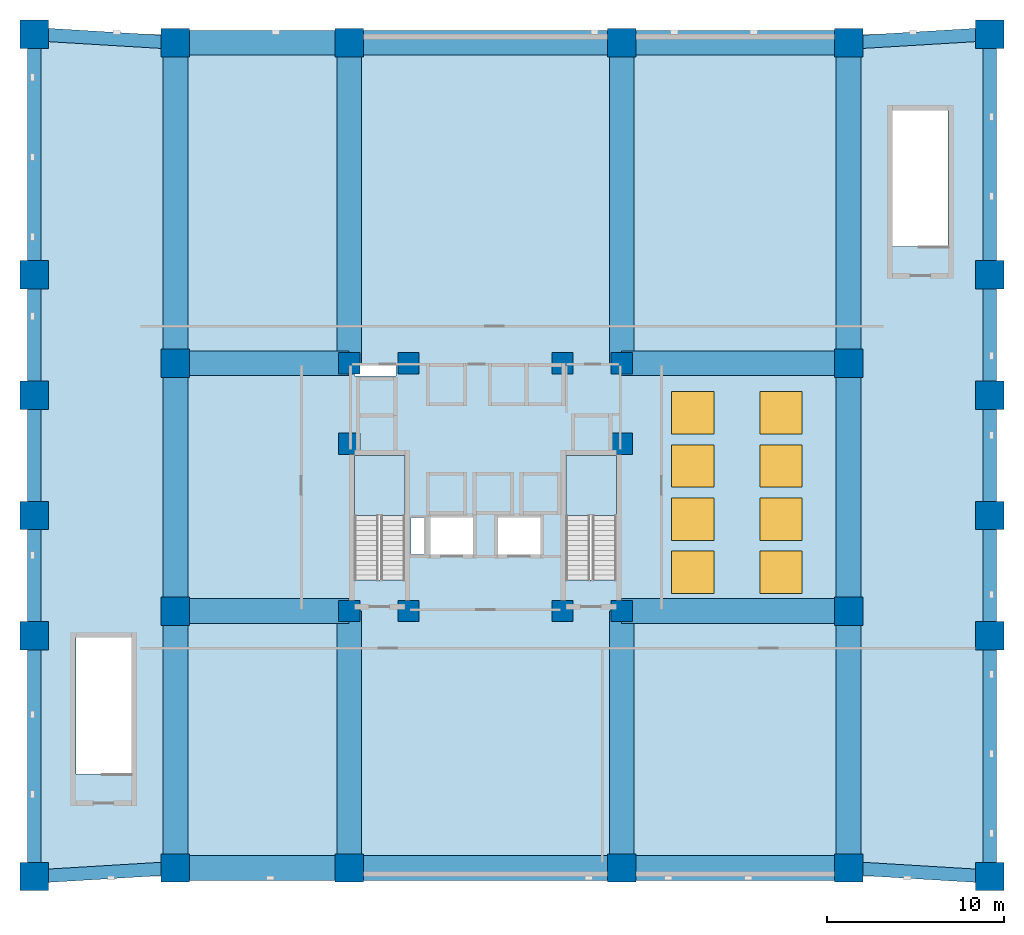
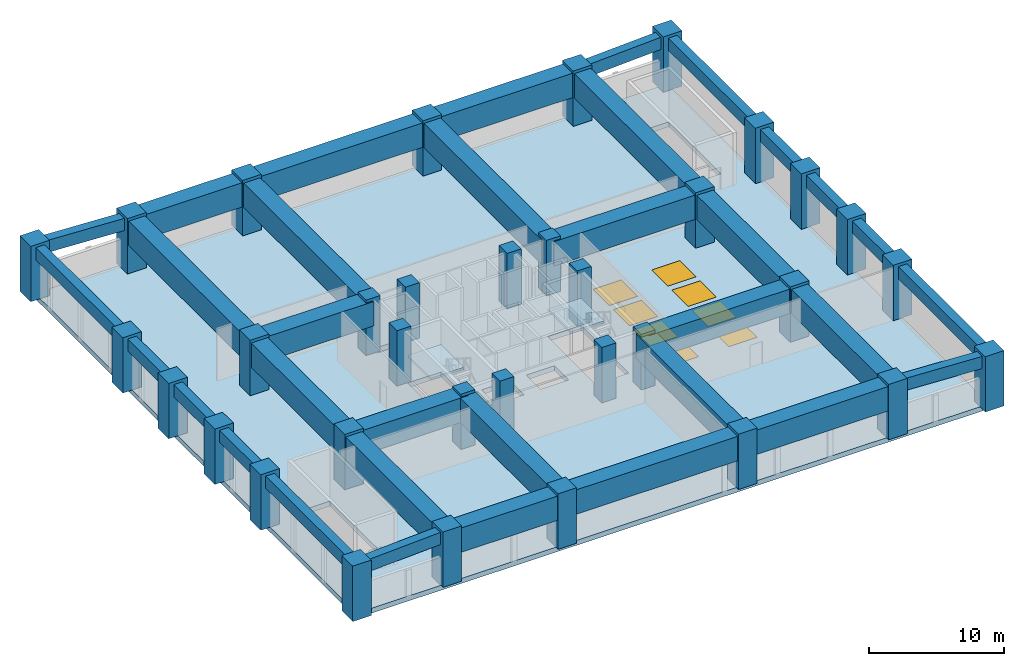
# One storey, part 1 of 6: 34 beams, 34 columns, 8 windows, 3 slabs, 8 openings, 2 elements without a shape of their own.
"""IFC4 building model written with IfcOpenShell, lengths in metres."""

import ifcopenshell
import ifcopenshell.guid

model = None  # the IFC model being written
_history = None  # IfcOwnerHistory: only IFC2X3 demands one
_inside = {}  # id of a spatial element -> (the spatial element, [elements in it])
_under = {}  # id of a project, library or spatial element -> (it, [spatial elements below it])
_declared = {}  # id of a project -> (the project, [libraries it declares])
_typed = {}  # id of a type object -> (the type object, [elements of that type])
_made_of = {}  # id of a material, layer set ... -> (it, [elements and type objects made of it])


def new_model(schema):
    """Start an empty IFC model of exactly this schema.

    Asked for "IFC4X3", IfcOpenShell would pick the latest addendum, in which some entities
    have other attributes; the version numbers below select the first issue.
    IFC2X3 requires an IfcOwnerHistory on every rooted entity: one is made here for all.
    """
    global model, _history
    if schema == "IFC4X3":
        model = ifcopenshell.file(schema_version=(4, 3, 0, 0))
    else:
        model = ifcopenshell.file(schema=schema)
    _inside.clear()
    _under.clear()
    _declared.clear()
    _typed.clear()
    _made_of.clear()
    _history = None
    if model.schema == "IFC2X3":
        org = make("IfcOrganization", Name="unknown")
        user = make(
            "IfcPersonAndOrganization",
            ThePerson=make("IfcPerson", FamilyName="unknown"),
            TheOrganization=org,
        )
        app = make(
            "IfcApplication",
            ApplicationDeveloper=org,
            Version="unknown",
            ApplicationFullName="unknown",
            ApplicationIdentifier="unknown",
        )
        _history = make(
            "IfcOwnerHistory",
            OwningUser=user,
            OwningApplication=app,
            ChangeAction="ADDED",
            CreationDate=0,
        )
    return model


def make(cls, **values):
    """One entity of the class cls with the attributes given. An attribute that is None is left unset."""
    return model.create_entity(
        cls, **{name: value for name, value in values.items() if value is not None}
    )


def rooted(cls, **values):
    """An entity with a GlobalId (a new one), such as an element, a storey or a relation."""
    return make(cls, GlobalId=ifcopenshell.guid.new(), OwnerHistory=_history, **values)


def si_unit(unit_type, name, prefix=None):
    """IfcSIUnit, for example si_unit("LENGTHUNIT", "METRE", prefix="MILLI")."""
    return make("IfcSIUnit", UnitType=unit_type, Prefix=prefix, Name=name)


def derived_unit(unit_type, elements):
    """IfcDerivedUnit: a product of units, each with its exponent."""
    return make(
        "IfcDerivedUnit",
        Elements=[
            make("IfcDerivedUnitElement", Unit=unit, Exponent=power)
            for unit, power in elements
        ],
        UnitType=unit_type,
    )


def assignment(units):
    """IfcUnitAssignment: the units of a project."""
    return None if units is None else make("IfcUnitAssignment", Units=units)


def point(xyz):
    """IfcCartesianPoint."""
    return None if xyz is None else make("IfcCartesianPoint", Coordinates=xyz)


def direction(xyz):
    """IfcDirection."""
    return None if xyz is None else make("IfcDirection", DirectionRatios=xyz)


def frame(location, z_axis=None, x_axis=None):
    """IfcAxis2Placement3D, a coordinate frame: its origin and axes. An axis left out is left unset."""
    return make(
        "IfcAxis2Placement3D",
        Location=point(location),
        Axis=direction(z_axis),
        RefDirection=direction(x_axis),
    )


def frame_2d(location, x_axis=None):
    """IfcAxis2Placement2D, a coordinate frame in the plane: its origin and x axis."""
    return make(
        "IfcAxis2Placement2D", Location=point(location), RefDirection=direction(x_axis)
    )


def origin():
    """The frame at (0, 0, 0) with its axes left unset."""
    return frame((0.0, 0.0, 0.0))


def origin_2d():
    """The frame at (0, 0) in the plane with its x axis left unset."""
    return frame_2d((0.0, 0.0))


def place(relative_to, where):
    """IfcLocalPlacement: puts the frame where relative to a parent placement (None: the world)."""
    return make(
        "IfcLocalPlacement", PlacementRelTo=relative_to, RelativePlacement=where
    )


def context(
    kind, dimensions, precision=None, world=None, true_north=None, identifier=None
):
    """IfcGeometricRepresentationContext, for example the 3D "Model" context."""
    return make(
        "IfcGeometricRepresentationContext",
        ContextIdentifier=identifier,
        ContextType=kind,
        CoordinateSpaceDimension=dimensions,
        Precision=precision,
        WorldCoordinateSystem=world,
        TrueNorth=true_north,
    )


def subcontext(parent, identifier, kind, view, scale=None):
    """IfcGeometricRepresentationSubContext, for example "Body" below "Model"."""
    return make(
        "IfcGeometricRepresentationSubContext",
        ContextIdentifier=identifier,
        ContextType=kind,
        ParentContext=parent,
        TargetScale=scale,
        TargetView=view,
    )


def project(units=None, contexts=None):
    """IfcProject with its units and contexts."""
    return rooted(
        "IfcProject",
        Name="project",
        RepresentationContexts=contexts,
        UnitsInContext=assignment(units),
    )


def spatial(cls, under=None, at=None, **own):
    """A site, building, storey or space (cls), placed at a placement, below another one or the project."""
    s = rooted(cls, ObjectPlacement=at, **own)
    if under is not None:
        _under.setdefault(under.id(), (under, []))[1].append(s)
    return s


def polyline(points):
    """IfcPolyline through the points."""
    return make("IfcPolyline", Points=[point(p) for p in points])


def profile(cls, at=None, kind="AREA", **sizes):
    """A parametric profile (cls). Its sizes go by their IFC names, for example OverallWidth=200.0."""
    return make(cls, ProfileType=kind, Position=at, **sizes)


def rectangle(**sizes):
    """IfcRectangleProfileDef."""
    return profile("IfcRectangleProfileDef", **sizes)


def outline(outer, holes=None, kind="AREA"):
    """IfcArbitraryClosedProfileDef: a profile drawn as a closed curve; with holes, ...WithVoids."""
    if holes is None:
        return make("IfcArbitraryClosedProfileDef", ProfileType=kind, OuterCurve=outer)
    return make(
        "IfcArbitraryProfileDefWithVoids",
        ProfileType=kind,
        OuterCurve=outer,
        InnerCurves=holes,
    )


def extrude(swept, where, along, depth):
    """IfcExtrudedAreaSolid: the profile swept, set in the frame where, extruded along a direction by depth."""
    return make(
        "IfcExtrudedAreaSolid",
        SweptArea=swept,
        Position=where,
        ExtrudedDirection=direction(along),
        Depth=depth,
    )


def shape(context_of_items, identifier, shape_type, items):
    """IfcShapeRepresentation: the items that make up one representation, for example the "Body"."""
    return make(
        "IfcShapeRepresentation",
        ContextOfItems=context_of_items,
        RepresentationIdentifier=identifier,
        RepresentationType=shape_type,
        Items=items,
    )


def material(Name=None, Category=None):
    """IfcMaterial."""
    return make("IfcMaterial", Name=Name, Category=Category)


def layer(
    of_material, thickness, ventilated=None, Name=None, Category=None, Priority=None
):
    """IfcMaterialLayer: one layer of a wall or slab, of a material (None: an air gap)."""
    return make(
        "IfcMaterialLayer",
        Material=of_material,
        LayerThickness=thickness,
        IsVentilated=ventilated,
        Name=Name,
        Category=Category,
        Priority=Priority,
    )


def layer_set(layers, Name=None):
    """IfcMaterialLayerSet."""
    return make("IfcMaterialLayerSet", MaterialLayers=layers, LayerSetName=Name)


def material_profile(
    of_material, cross_section, Name=None, Category=None, Priority=None
):
    """IfcMaterialProfile: a cross section and its material."""
    return make(
        "IfcMaterialProfile",
        Name=Name,
        Material=of_material,
        Profile=cross_section,
        Priority=Priority,
        Category=Category,
    )


def profile_set(profiles, Name=None, composite=None):
    """IfcMaterialProfileSet."""
    return make(
        "IfcMaterialProfileSet",
        Name=Name,
        MaterialProfiles=profiles,
        CompositeProfile=composite,
    )


def made_of(thing, what):
    """Note that an element or type object is made of a material, layer set ...; save() writes the relation."""
    if what is not None:
        _made_of.setdefault(what.id(), (what, []))[1].append(thing)
    return thing


def type_object(cls, material=None, **own):
    """A type object (cls), such as IfcWallType, which elements share."""
    return made_of(rooted(cls, **own), material)


def element(
    cls,
    number,
    at=None,
    inside=None,
    cuts=None,
    type_object=None,
    material=None,
    context=None,
    identifier="Body",
    shape_type=None,
    held_by="IfcProductDefinitionShape",
    body=None,
    shapes=None,
    **own,
):
    """One element of the class cls, such as IfcWall. Its Tag is "e" and its number.

    at: its placement. inside: the storey or other place that contains it. cuts: it is an
    opening in that element (IfcRelVoidsElement). A single representation is given by context,
    identifier, shape_type and body (its items); several are given by shapes. held_by: the class
    of the entity that holds the representations. save() writes the other relations.
    """
    e = rooted(cls, Tag="e%d" % number, ObjectPlacement=at, **own)
    if body is not None:
        shapes = [shape(context, identifier, shape_type, body)]
    if shapes is not None:
        e.Representation = make(held_by, Representations=shapes)
    if inside is not None:
        _inside.setdefault(inside.id(), (inside, []))[1].append(e)
    if cuts is not None:
        rooted(
            "IfcRelVoidsElement", RelatingBuildingElement=cuts, RelatedOpeningElement=e
        )
    if type_object is not None:
        _typed.setdefault(type_object.id(), (type_object, []))[1].append(e)
    return made_of(e, material)


def fill(opening, filler):
    """IfcRelFillsElement: the door or window that sits in an opening."""
    return rooted(
        "IfcRelFillsElement",
        RelatingOpeningElement=opening,
        RelatedBuildingElement=filler,
    )


def aggregate(whole, parts):
    """IfcRelAggregates: a whole, such as a stair, and the parts it consists of."""
    return rooted("IfcRelAggregates", RelatingObject=whole, RelatedObjects=parts)


def save(model, path):
    """Write the relations noted so far, then the file.

    IfcRelAggregates (storeys below a building ...), IfcRelContainedInSpatialStructure (elements
    in a storey), IfcRelDefinesByType, IfcRelAssociatesMaterial and IfcRelDeclares: one each for
    every whole, place, type object, material and project.
    """
    for whole, parts in _under.values():
        aggregate(whole, parts)
    for where, things in _inside.values():
        rooted(
            "IfcRelContainedInSpatialStructure",
            RelatedElements=things,
            RelatingStructure=where,
        )
    for kind, things in _typed.values():
        rooted("IfcRelDefinesByType", RelatedObjects=things, RelatingType=kind)
    for what, things in _made_of.values():
        rooted("IfcRelAssociatesMaterial", RelatedObjects=things, RelatingMaterial=what)
    for by, libraries in _declared.values():
        rooted("IfcRelDeclares", RelatingContext=by, RelatedDefinitions=libraries)
    model.write(path)


model = new_model("IFC4")

# Units and contexts
model_context = context("Model", 3, precision=1e-05, world=origin(), true_north=direction((0.0, 1.0)))
body_context = subcontext(model_context, "Body", "Model", "MODEL_VIEW")
ifc_project = project(units=[si_unit("LENGTHUNIT", "METRE"), si_unit("AREAUNIT", "SQUARE_METRE"), si_unit("VOLUMEUNIT", "CUBIC_METRE"), si_unit("PLANEANGLEUNIT", "RADIAN"), si_unit("MASSUNIT", "GRAM", prefix="KILO"), derived_unit("THERMALTRANSMITTANCEUNIT", [(si_unit("MASSUNIT", "GRAM", prefix="KILO"), 1), (si_unit("TIMEUNIT", "SECOND"), -3), (si_unit("THERMODYNAMICTEMPERATUREUNIT", "KELVIN"), -1)])], contexts=[model_context])

# Site, building, storey
site_placement = place(None, origin())
site = spatial("IfcSite", under=ifc_project, at=site_placement, CompositionType="ELEMENT")
building_placement = place(site_placement, origin())
building = spatial("IfcBuilding", under=site, at=building_placement, Name="Korrvale Station Residences", CompositionType="ELEMENT")
storey_placement = place(building_placement, frame((0.0, 0.0, 20.800048828125)))
storey = spatial("IfcBuildingStorey", under=building, at=storey_placement, Name="L04", CompositionType="ELEMENT", Elevation=20.800048828125)

# Columns
ifc_material_1 = material(Name="Concrete C70/85", Category="concrete")
ifc_material_profile_1 = material_profile(ifc_material_1, rectangle(XDim=1.199951171875, YDim=1.199951171875, at=origin_2d()), Name="RC1200x1200")
ifc_profile_set_1 = profile_set([ifc_material_profile_1], Name="Concrete C70/85")
column_type_1 = type_object("IfcColumnType", Name="COL-C-RC1200x1200-C7085", PredefinedType="COLUMN", material=ifc_profile_set_1)
for number, where, z_axis, x_axis, name in (
    (1, (17.800048828125, 15.0, 0.0), (0.0, 0.0, 1.0), (1.0, 0.0, 0.0), "L04 Core Column 25"),
    (2, (21.14990234375, 15.0, 0.0), (0.0, 0.0, 1.0), (1.0, 0.0, 0.0), "L04 Core Column 26"),
    (3, (29.85009765625, 15.0, 0.0), (0.0, 0.0, 1.0), (1.0, 0.0, 0.0), "L04 Core Column 27"),
    (4, (33.199951171875, 15.0, 0.0), (0.0, 0.0, 1.0), (1.0, 0.0, 0.0), "L04 Core Column 28"),
    (5, (17.800048828125, 29.0, 0.0), (0.0, 0.0, 1.0), (1.0, 0.0, 0.0), "L04 Core Column 29"),
    (6, (21.14990234375, 29.0, 0.0), (0.0, 0.0, 1.0), (1.0, 0.0, 0.0), "L04 Core Column 30"),
    (7, (29.85009765625, 29.0, 0.0), (0.0, 0.0, 1.0), (1.0, 0.0, 0.0), "L04 Core Column 31"),
    (8, (33.199951171875, 29.0, 0.0), (0.0, 0.0, 1.0), (1.0, 0.0, 0.0), "L04 Core Column 32"),
    (9, (17.800048828125, 24.449951171875, 0.0), (0.0, 0.0, 1.0), (1.0, 0.0, 0.0), "L04 Core Column 33"),
    (10, (33.199951171875, 24.449951171875, 0.0), (0.0, 0.0, 1.0), (1.0, 0.0, 0.0), "L04 Core Column 34"),
):
    element("IfcColumn", number, at=place(storey_placement, frame(where, z_axis=z_axis, x_axis=x_axis)), inside=storey, type_object=column_type_1, Name=name, PredefinedType="COLUMN", context=body_context, shape_type="SweptSolid", body=[
        extrude(rectangle(XDim=1.199951171875, YDim=1.199951171875, at=origin_2d()), origin(), (0.0, 0.0, 1.0), 5.0),
    ])
ifc_material_profile_2 = material_profile(ifc_material_1, rectangle(XDim=1.60009765625, YDim=1.60009765625, at=origin_2d()), Name="RC1600x1600")
ifc_profile_set_2 = profile_set([ifc_material_profile_2], Name="Concrete C70/85")
column_type_2 = type_object("IfcColumnType", Name="COL-C-RC1600x1600-C7085", PredefinedType="COLUMN", material=ifc_profile_set_2)
for number, where, z_axis, x_axis, name in (
    (11, (0.0, 0.0, 0.0), (0.0, 0.0, 1.0), (1.0, 0.0, 0.0), "L04 Station Mega-Column 01"),
    (12, (0.0, 13.60009765625, 0.0), (0.0, 0.0, 1.0), (1.0, 0.0, 0.0), "L04 Station Mega-Column 02"),
    (13, (0.0, 20.39990234375, 0.0), (0.0, 0.0, 1.0), (1.0, 0.0, 0.0), "L04 Station Mega-Column 03"),
    (14, (0.0, 27.199951171875, 0.0), (0.0, 0.0, 1.0), (1.0, 0.0, 0.0), "L04 Station Mega-Column 04"),
    (15, (0.0, 34.0, 0.0), (0.0, 0.0, 1.0), (1.0, 0.0, 0.0), "L04 Station Mega-Column 05"),
    (16, (0.0, 47.60009765625, 0.0), (0.0, 0.0, 1.0), (1.0, 0.0, 0.0), "L04 Station Mega-Column 06"),
    (17, (54.0, 0.0, 0.0), (0.0, 0.0, 1.0), (1.0, 0.0, 0.0), "L04 Station Mega-Column 07"),
    (18, (54.0, 13.60009765625, 0.0), (0.0, 0.0, 1.0), (1.0, 0.0, 0.0), "L04 Station Mega-Column 08"),
    (19, (54.0, 20.39990234375, 0.0), (0.0, 0.0, 1.0), (1.0, 0.0, 0.0), "L04 Station Mega-Column 09"),
    (20, (54.0, 27.199951171875, 0.0), (0.0, 0.0, 1.0), (1.0, 0.0, 0.0), "L04 Station Mega-Column 10"),
    (21, (54.0, 34.0, 0.0), (0.0, 0.0, 1.0), (1.0, 0.0, 0.0), "L04 Station Mega-Column 11"),
    (22, (54.0, 47.60009765625, 0.0), (0.0, 0.0, 1.0), (1.0, 0.0, 0.0), "L04 Station Mega-Column 12"),
    (23, (7.97998046875, 0.47998046875, 0.0), (0.0, 0.0, 1.0), (1.0, 0.0, 0.0), "L04 Station Mega-Column 13"),
    (24, (7.97998046875, 15.0, 0.0), (0.0, 0.0, 1.0), (1.0, 0.0, 0.0), "L04 Station Mega-Column 14"),
    (25, (7.97998046875, 29.0, 0.0), (0.0, 0.0, 1.0), (1.0, 0.0, 0.0), "L04 Station Mega-Column 15"),
    (26, (7.97998046875, 47.1201171875, 0.0), (0.0, 0.0, 1.0), (1.0, 0.0, 0.0), "L04 Station Mega-Column 16"),
    (27, (46.02001953125, 0.47998046875, 0.0), (0.0, 0.0, 1.0), (1.0, 0.0, 0.0), "L04 Station Mega-Column 17"),
    (28, (46.02001953125, 15.0, 0.0), (0.0, 0.0, 1.0), (1.0, 0.0, 0.0), "L04 Station Mega-Column 18"),
    (29, (46.02001953125, 29.0, 0.0), (0.0, 0.0, 1.0), (1.0, 0.0, 0.0), "L04 Station Mega-Column 19"),
    (30, (46.02001953125, 47.1201171875, 0.0), (0.0, 0.0, 1.0), (1.0, 0.0, 0.0), "L04 Station Mega-Column 20"),
    (31, (17.800048828125, 0.47998046875, 0.0), (0.0, 0.0, 1.0), (1.0, 0.0, 0.0), "L04 Station Mega-Column 21"),
    (32, (17.800048828125, 47.1201171875, 0.0), (0.0, 0.0, 1.0), (1.0, 0.0, 0.0), "L04 Station Mega-Column 22"),
    (33, (33.199951171875, 0.47998046875, 0.0), (0.0, 0.0, 1.0), (1.0, 0.0, 0.0), "L04 Station Mega-Column 23"),
    (34, (33.199951171875, 47.1201171875, 0.0), (0.0, 0.0, 1.0), (1.0, 0.0, 0.0), "L04 Station Mega-Column 24"),
):
    element("IfcColumn", number, at=place(storey_placement, frame(where, z_axis=z_axis, x_axis=x_axis)), inside=storey, type_object=column_type_2, Name=name, PredefinedType="COLUMN", context=body_context, shape_type="SweptSolid", body=[
        extrude(rectangle(XDim=1.60009765625, YDim=1.60009765625, at=origin_2d()), origin(), (0.0, 0.0, 1.0), 5.0),
    ])

# Beams
ifc_material_profile_3 = material_profile(ifc_material_1, rectangle(XDim=0.75, YDim=1.10009765625, at=origin_2d()), Name="RCB750x1100")
ifc_profile_set_3 = profile_set([ifc_material_profile_3], Name="Concrete C70/85")
beam_type_1 = type_object("IfcBeamType", Name="BM-SPB-RCB750x1100-C7085", PredefinedType="SPANDREL", material=ifc_profile_set_3)
beam_1_placement = place(storey_placement, frame((0.0, 0.0, 4.18994140625), z_axis=(0.0, 1.0, 0.0), x_axis=(-1.0, 0.0, 0.0)))
element("IfcBeam", 35, at=beam_1_placement, inside=storey, type_object=beam_type_1, Name="L04 Podium Perimeter Spandrel 01", PredefinedType="SPANDREL", context=body_context, shape_type="SweptSolid", body=[
    extrude(rectangle(XDim=0.75, YDim=1.10009765625, at=origin_2d()), origin(), (0.0, 0.0, 1.0), 13.60009765625),
])
beam_2_placement = place(storey_placement, frame((0.0, 13.60009765625, 4.18994140625), z_axis=(0.0, 1.0, 0.0), x_axis=(-1.0, 0.0, 0.0)))
element("IfcBeam", 36, at=beam_2_placement, inside=storey, type_object=beam_type_1, Name="L04 Podium Perimeter Spandrel 02", PredefinedType="SPANDREL", context=body_context, shape_type="SweptSolid", body=[
    extrude(rectangle(XDim=0.75, YDim=1.10009765625, at=origin_2d()), origin(), (0.0, 0.0, 1.0), 6.7998046875),
])
for number, where, z_axis, x_axis, name in (
    (37, (0.0, 20.39990234375, 4.18994140625), (0.0, 1.0, 0.0), (-1.0, 0.0, 0.0), "L04 Podium Perimeter Spandrel 03"),
    (38, (0.0, 27.199951171875, 4.18994140625), (0.0, 1.0, 0.0), (-1.0, 0.0, 0.0), "L04 Podium Perimeter Spandrel 04"),
):
    element("IfcBeam", number, at=place(storey_placement, frame(where, z_axis=z_axis, x_axis=x_axis)), inside=storey, type_object=beam_type_1, Name=name, PredefinedType="SPANDREL", context=body_context, shape_type="SweptSolid", body=[
        extrude(rectangle(XDim=0.75, YDim=1.10009765625, at=origin_2d()), origin(), (0.0, 0.0, 1.0), 6.800048828125),
    ])
for number, where, z_axis, x_axis, name in (
    (39, (0.0, 34.0, 4.18994140625), (0.0, 1.0, 0.0), (-1.0, 0.0, 0.0), "L04 Podium Perimeter Spandrel 05"),
    (40, (54.0, 0.0, 4.18994140625), (0.0, 1.0, 0.0), (-1.0, 0.0, 0.0), "L04 Podium Perimeter Spandrel 06"),
):
    element("IfcBeam", number, at=place(storey_placement, frame(where, z_axis=z_axis, x_axis=x_axis)), inside=storey, type_object=beam_type_1, Name=name, PredefinedType="SPANDREL", context=body_context, shape_type="SweptSolid", body=[
        extrude(rectangle(XDim=0.75, YDim=1.10009765625, at=origin_2d()), origin(), (0.0, 0.0, 1.0), 13.60009765625),
    ])
beam_3_placement = place(storey_placement, frame((54.0, 13.60009765625, 4.18994140625), z_axis=(0.0, 1.0, 0.0), x_axis=(-1.0, 0.0, 0.0)))
element("IfcBeam", 41, at=beam_3_placement, inside=storey, type_object=beam_type_1, Name="L04 Podium Perimeter Spandrel 07", PredefinedType="SPANDREL", context=body_context, shape_type="SweptSolid", body=[
    extrude(rectangle(XDim=0.75, YDim=1.10009765625, at=origin_2d()), origin(), (0.0, 0.0, 1.0), 6.7998046875),
])
for number, where, z_axis, x_axis, name in (
    (42, (54.0, 20.39990234375, 4.18994140625), (0.0, 1.0, 0.0), (-1.0, 0.0, 0.0), "L04 Podium Perimeter Spandrel 08"),
    (43, (54.0, 27.199951171875, 4.18994140625), (0.0, 1.0, 0.0), (-1.0, 0.0, 0.0), "L04 Podium Perimeter Spandrel 09"),
):
    element("IfcBeam", number, at=place(storey_placement, frame(where, z_axis=z_axis, x_axis=x_axis)), inside=storey, type_object=beam_type_1, Name=name, PredefinedType="SPANDREL", context=body_context, shape_type="SweptSolid", body=[
        extrude(rectangle(XDim=0.75, YDim=1.10009765625, at=origin_2d()), origin(), (0.0, 0.0, 1.0), 6.800048828125),
    ])
beam_4_placement = place(storey_placement, frame((54.0, 34.0, 4.18994140625), z_axis=(0.0, 1.0, 0.0), x_axis=(-1.0, 0.0, 0.0)))
element("IfcBeam", 44, at=beam_4_placement, inside=storey, type_object=beam_type_1, Name="L04 Podium Perimeter Spandrel 10", PredefinedType="SPANDREL", context=body_context, shape_type="SweptSolid", body=[
    extrude(rectangle(XDim=0.75, YDim=1.10009765625, at=origin_2d()), origin(), (0.0, 0.0, 1.0), 13.60009765625),
])
for number, where, z_axis, x_axis, name in (
    (45, (0.0, 0.0, 4.18994140625), (0.998195997903, 0.060039568374, 0.0), (-0.060039568374, 0.998195997903, 0.0), "L04 Podium Perimeter Spandrel 11"),
    (46, (46.02001953125, 0.47998046875, 4.18994140625), (0.998195997903, -0.060039568374, 0.0), (0.060039568374, 0.998195997903, 0.0), "L04 Podium Perimeter Spandrel 12"),
    (47, (0.0, 47.60009765625, 4.18994140625), (0.998195997903, -0.060039568374, 0.0), (0.060039568374, 0.998195997903, 0.0), "L04 Podium Perimeter Spandrel 13"),
    (48, (46.02001953125, 47.1201171875, 4.18994140625), (0.998195997903, 0.060039568374, 0.0), (-0.060039568374, 0.998195997903, 0.0), "L04 Podium Perimeter Spandrel 14"),
):
    element("IfcBeam", number, at=place(storey_placement, frame(where, z_axis=z_axis, x_axis=x_axis)), inside=storey, type_object=beam_type_1, Name=name, PredefinedType="SPANDREL", context=body_context, shape_type="SweptSolid", body=[
        extrude(rectangle(XDim=0.75, YDim=1.10009765625, at=origin_2d()), origin(), (0.0, 0.0, 1.0), 7.994384765625),
    ])
ifc_material_profile_4 = material_profile(ifc_material_1, rectangle(XDim=1.39990234375, YDim=2.199951171875, at=origin_2d()), Name="RCB1400x2200")
ifc_profile_set_4 = profile_set([ifc_material_profile_4], Name="Concrete C70/85")
beam_type_2 = type_object("IfcBeamType", Name="BM-TG-RCB1400x2200-C7085", PredefinedType="USERDEFINED", material=ifc_profile_set_4)
beam_5_placement = place(storey_placement, frame((7.97998046875, 0.47998046875, 3.639892578125), z_axis=(1.0, 0.0, 0.0), x_axis=(0.0, 1.0, 0.0)))
element("IfcBeam", 49, at=beam_5_placement, inside=storey, type_object=beam_type_2, Name="TG1 L04 Post-Tensioned Station Transfer Girder 01", ObjectType="TRANSFER GIRDER", PredefinedType="USERDEFINED", context=body_context, shape_type="SweptSolid", body=[
    extrude(rectangle(XDim=1.39990234375, YDim=2.199951171875, at=origin_2d()), origin(), (0.0, 0.0, 1.0), 9.820068359375),
])
beam_6_placement = place(storey_placement, frame((17.800048828125, 0.47998046875, 3.639892578125), z_axis=(1.0, 0.0, 0.0), x_axis=(0.0, 1.0, 0.0)))
element("IfcBeam", 50, at=beam_6_placement, inside=storey, type_object=beam_type_2, Name="TG1 L04 Post-Tensioned Station Transfer Girder 02", ObjectType="TRANSFER GIRDER", PredefinedType="USERDEFINED", context=body_context, shape_type="SweptSolid", body=[
    extrude(rectangle(XDim=1.39990234375, YDim=2.199951171875, at=origin_2d()), origin(), (0.0, 0.0, 1.0), 15.39990234375),
])
beam_7_placement = place(storey_placement, frame((33.199951171875, 0.47998046875, 3.639892578125), z_axis=(1.0, 0.0, 0.0), x_axis=(0.0, 1.0, 0.0)))
element("IfcBeam", 51, at=beam_7_placement, inside=storey, type_object=beam_type_2, Name="TG1 L04 Post-Tensioned Station Transfer Girder 03", ObjectType="TRANSFER GIRDER", PredefinedType="USERDEFINED", context=body_context, shape_type="SweptSolid", body=[
    extrude(rectangle(XDim=1.39990234375, YDim=2.199951171875, at=origin_2d()), origin(), (0.0, 0.0, 1.0), 12.820068359375),
])
beam_8_placement = place(storey_placement, frame((7.97998046875, 47.1201171875, 3.639892578125), z_axis=(1.0, 0.0, 0.0), x_axis=(0.0, 1.0, 0.0)))
element("IfcBeam", 52, at=beam_8_placement, inside=storey, type_object=beam_type_2, Name="TG1 L04 Post-Tensioned Station Transfer Girder 04", ObjectType="TRANSFER GIRDER", PredefinedType="USERDEFINED", context=body_context, shape_type="SweptSolid", body=[
    extrude(rectangle(XDim=1.39990234375, YDim=2.199951171875, at=origin_2d()), origin(), (0.0, 0.0, 1.0), 9.820068359375),
])
beam_9_placement = place(storey_placement, frame((17.800048828125, 47.1201171875, 3.639892578125), z_axis=(1.0, 0.0, 0.0), x_axis=(0.0, 1.0, 0.0)))
element("IfcBeam", 53, at=beam_9_placement, inside=storey, type_object=beam_type_2, Name="TG1 L04 Post-Tensioned Station Transfer Girder 05", ObjectType="TRANSFER GIRDER", PredefinedType="USERDEFINED", context=body_context, shape_type="SweptSolid", body=[
    extrude(rectangle(XDim=1.39990234375, YDim=2.199951171875, at=origin_2d()), origin(), (0.0, 0.0, 1.0), 15.39990234375),
])
beam_10_placement = place(storey_placement, frame((33.199951171875, 47.1201171875, 3.639892578125), z_axis=(1.0, 0.0, 0.0), x_axis=(0.0, 1.0, 0.0)))
element("IfcBeam", 54, at=beam_10_placement, inside=storey, type_object=beam_type_2, Name="TG1 L04 Post-Tensioned Station Transfer Girder 06", ObjectType="TRANSFER GIRDER", PredefinedType="USERDEFINED", context=body_context, shape_type="SweptSolid", body=[
    extrude(rectangle(XDim=1.39990234375, YDim=2.199951171875, at=origin_2d()), origin(), (0.0, 0.0, 1.0), 12.820068359375),
])
beam_11_placement = place(storey_placement, frame((7.97998046875, 0.47998046875, 3.639892578125), z_axis=(0.0, 1.0, 0.0), x_axis=(-1.0, 0.0, 0.0)))
element("IfcBeam", 55, at=beam_11_placement, inside=storey, type_object=beam_type_2, Name="TG1 L04 Post-Tensioned Station Transfer Girder 07", ObjectType="TRANSFER GIRDER", PredefinedType="USERDEFINED", context=body_context, shape_type="SweptSolid", body=[
    extrude(rectangle(XDim=1.39990234375, YDim=2.199951171875, at=origin_2d()), origin(), (0.0, 0.0, 1.0), 14.52001953125),
])
beam_12_placement = place(storey_placement, frame((7.97998046875, 15.0, 3.639892578125), z_axis=(0.0, 1.0, 0.0), x_axis=(-1.0, 0.0, 0.0)))
element("IfcBeam", 56, at=beam_12_placement, inside=storey, type_object=beam_type_2, Name="TG1 L04 Post-Tensioned Station Transfer Girder 08", ObjectType="TRANSFER GIRDER", PredefinedType="USERDEFINED", context=body_context, shape_type="SweptSolid", body=[
    extrude(rectangle(XDim=1.39990234375, YDim=2.199951171875, at=origin_2d()), origin(), (0.0, 0.0, 1.0), 14.0),
])
beam_13_placement = place(storey_placement, frame((7.97998046875, 29.0, 3.639892578125), z_axis=(0.0, 1.0, 0.0), x_axis=(-1.0, 0.0, 0.0)))
element("IfcBeam", 57, at=beam_13_placement, inside=storey, type_object=beam_type_2, Name="TG1 L04 Post-Tensioned Station Transfer Girder 09", ObjectType="TRANSFER GIRDER", PredefinedType="USERDEFINED", context=body_context, shape_type="SweptSolid", body=[
    extrude(rectangle(XDim=1.39990234375, YDim=2.199951171875, at=origin_2d()), origin(), (0.0, 0.0, 1.0), 18.1201171875),
])
beam_14_placement = place(storey_placement, frame((46.02001953125, 0.47998046875, 3.639892578125), z_axis=(0.0, 1.0, 0.0), x_axis=(-1.0, 0.0, 0.0)))
element("IfcBeam", 58, at=beam_14_placement, inside=storey, type_object=beam_type_2, Name="TG1 L04 Post-Tensioned Station Transfer Girder 10", ObjectType="TRANSFER GIRDER", PredefinedType="USERDEFINED", context=body_context, shape_type="SweptSolid", body=[
    extrude(rectangle(XDim=1.39990234375, YDim=2.199951171875, at=origin_2d()), origin(), (0.0, 0.0, 1.0), 14.52001953125),
])
beam_15_placement = place(storey_placement, frame((46.02001953125, 15.0, 3.639892578125), z_axis=(0.0, 1.0, 0.0), x_axis=(-1.0, 0.0, 0.0)))
element("IfcBeam", 59, at=beam_15_placement, inside=storey, type_object=beam_type_2, Name="TG1 L04 Post-Tensioned Station Transfer Girder 11", ObjectType="TRANSFER GIRDER", PredefinedType="USERDEFINED", context=body_context, shape_type="SweptSolid", body=[
    extrude(rectangle(XDim=1.39990234375, YDim=2.199951171875, at=origin_2d()), origin(), (0.0, 0.0, 1.0), 14.0),
])
beam_16_placement = place(storey_placement, frame((46.02001953125, 29.0, 3.639892578125), z_axis=(0.0, 1.0, 0.0), x_axis=(-1.0, 0.0, 0.0)))
element("IfcBeam", 60, at=beam_16_placement, inside=storey, type_object=beam_type_2, Name="TG1 L04 Post-Tensioned Station Transfer Girder 12", ObjectType="TRANSFER GIRDER", PredefinedType="USERDEFINED", context=body_context, shape_type="SweptSolid", body=[
    extrude(rectangle(XDim=1.39990234375, YDim=2.199951171875, at=origin_2d()), origin(), (0.0, 0.0, 1.0), 18.1201171875),
])
for number, where, z_axis, x_axis, name in (
    (61, (17.800048828125, 0.47998046875, 3.639892578125), (0.0, 1.0, 0.0), (-1.0, 0.0, 0.0), "TG1 L04 Post-Tensioned Station Transfer Girder 13"),
    (62, (33.199951171875, 0.47998046875, 3.639892578125), (0.0, 1.0, 0.0), (-1.0, 0.0, 0.0), "TG1 L04 Post-Tensioned Station Transfer Girder 14"),
):
    element("IfcBeam", number, at=place(storey_placement, frame(where, z_axis=z_axis, x_axis=x_axis)), inside=storey, type_object=beam_type_2, Name=name, ObjectType="TRANSFER GIRDER", PredefinedType="USERDEFINED", context=body_context, shape_type="SweptSolid", body=[
        extrude(rectangle(XDim=1.39990234375, YDim=2.199951171875, at=origin_2d()), origin(), (0.0, 0.0, 1.0), 14.52001953125),
    ])
for number, where, z_axis, x_axis, name in (
    (63, (17.800048828125, 29.0, 3.639892578125), (0.0, 1.0, 0.0), (-1.0, 0.0, 0.0), "TG1 L04 Post-Tensioned Station Transfer Girder 15"),
    (64, (33.199951171875, 29.0, 3.639892578125), (0.0, 1.0, 0.0), (-1.0, 0.0, 0.0), "TG1 L04 Post-Tensioned Station Transfer Girder 16"),
):
    element("IfcBeam", number, at=place(storey_placement, frame(where, z_axis=z_axis, x_axis=x_axis)), inside=storey, type_object=beam_type_2, Name=name, ObjectType="TRANSFER GIRDER", PredefinedType="USERDEFINED", context=body_context, shape_type="SweptSolid", body=[
        extrude(rectangle(XDim=1.39990234375, YDim=2.199951171875, at=origin_2d()), origin(), (0.0, 0.0, 1.0), 18.1201171875),
    ])
beam_17_placement = place(storey_placement, frame((7.97998046875, 15.0, 3.639892578125), z_axis=(1.0, 0.0, 0.0), x_axis=(0.0, 1.0, 0.0)))
element("IfcBeam", 65, at=beam_17_placement, inside=storey, type_object=beam_type_2, Name="TG1 L04 Post-Tensioned Station Transfer Girder 17", ObjectType="TRANSFER GIRDER", PredefinedType="USERDEFINED", context=body_context, shape_type="SweptSolid", body=[
    extrude(rectangle(XDim=1.39990234375, YDim=2.199951171875, at=origin_2d()), origin(), (0.0, 0.0, 1.0), 9.820068359375),
])
beam_18_placement = place(storey_placement, frame((33.199951171875, 15.0, 3.639892578125), z_axis=(1.0, 0.0, 0.0), x_axis=(0.0, 1.0, 0.0)))
element("IfcBeam", 66, at=beam_18_placement, inside=storey, type_object=beam_type_2, Name="TG1 L04 Post-Tensioned Station Transfer Girder 18", ObjectType="TRANSFER GIRDER", PredefinedType="USERDEFINED", context=body_context, shape_type="SweptSolid", body=[
    extrude(rectangle(XDim=1.39990234375, YDim=2.199951171875, at=origin_2d()), origin(), (0.0, 0.0, 1.0), 12.820068359375),
])
beam_19_placement = place(storey_placement, frame((7.97998046875, 29.0, 3.639892578125), z_axis=(1.0, 0.0, 0.0), x_axis=(0.0, 1.0, 0.0)))
element("IfcBeam", 67, at=beam_19_placement, inside=storey, type_object=beam_type_2, Name="TG1 L04 Post-Tensioned Station Transfer Girder 19", ObjectType="TRANSFER GIRDER", PredefinedType="USERDEFINED", context=body_context, shape_type="SweptSolid", body=[
    extrude(rectangle(XDim=1.39990234375, YDim=2.199951171875, at=origin_2d()), origin(), (0.0, 0.0, 1.0), 9.820068359375),
])
beam_20_placement = place(storey_placement, frame((33.199951171875, 29.0, 3.639892578125), z_axis=(1.0, 0.0, 0.0), x_axis=(0.0, 1.0, 0.0)))
element("IfcBeam", 68, at=beam_20_placement, inside=storey, type_object=beam_type_2, Name="TG1 L04 Post-Tensioned Station Transfer Girder 20", ObjectType="TRANSFER GIRDER", PredefinedType="USERDEFINED", context=body_context, shape_type="SweptSolid", body=[
    extrude(rectangle(XDim=1.39990234375, YDim=2.199951171875, at=origin_2d()), origin(), (0.0, 0.0, 1.0), 12.820068359375),
])

# Slab, openings, windows
ifc_material_2 = material(Name="Concrete C50/60", Category="concrete")
ifc_layer_1 = layer(ifc_material_2, 0.449951171875, Name="Concrete C50/60")
ifc_layer_set_1 = layer_set([ifc_layer_1], Name="Concrete C50/60")
slab_type_1 = type_object("IfcSlabType", Name="SLB-FLR-450", PredefinedType="FLOOR", material=ifc_layer_set_1)
slab_1_placement = place(storey_placement, frame((0.0, 0.0, -0.449951171875)))
slab_1 = element("IfcSlab", 69, at=slab_1_placement, inside=storey, type_object=slab_type_1, Name="L04 Suspended Structural Floor Slab", PredefinedType="FLOOR", context=body_context, shape_type="SweptSolid", body=[
    extrude(outline(polyline([(0.0, 0.0), (54.0, 0.0), (54.0, 47.60009765625), (0.0, 47.60009765625), (0.0, 0.0)]), holes=[polyline([(20.949951171875, 16.751953125), (20.949951171875, 23.800048828125), (18.10009765625, 23.800048828125), (18.10009765625, 16.751953125), (20.949951171875, 16.751953125)]), polyline([(32.89990234375, 16.751953125), (32.89990234375, 23.800048828125), (30.050048828125, 23.800048828125), (30.050048828125, 16.751953125), (32.89990234375, 16.751953125)]), polyline([(5.5, 5.802001953125), (5.5, 13.5), (2.35009765625, 13.5), (2.35009765625, 5.802001953125), (5.5, 5.802001953125)]), polyline([(51.64990234375, 35.60205078125), (51.64990234375, 43.300048828125), (48.5, 43.300048828125), (48.5, 35.60205078125), (51.64990234375, 35.60205078125)]), polyline([(22.39990234375, 18.199951171875), (24.800048828125, 18.199951171875), (24.800048828125, 20.300048828125), (22.39990234375, 20.300048828125), (22.39990234375, 18.199951171875)]), polyline([(26.199951171875, 18.199951171875), (28.60009765625, 18.199951171875), (28.60009765625, 20.300048828125), (26.199951171875, 20.300048828125), (26.199951171875, 18.199951171875)]), polyline([(18.10009765625, 28.280029296875), (20.449951171875, 28.280029296875), (20.449951171875, 28.8798828125), (18.10009765625, 28.8798828125), (18.10009765625, 28.280029296875)]), polyline([(21.280029296875, 18.199951171875), (22.02001953125, 18.199951171875), (22.02001953125, 20.300048828125), (21.280029296875, 20.300048828125), (21.280029296875, 18.199951171875)])]), origin(), (0.0, 0.0, 1.0), 0.449951171875),
])
opening_1_placement = place(slab_1_placement, frame((37.199951171875, 17.199951171875, -0.010009765625)))
opening_1 = element("IfcOpeningElement", 70, at=opening_1_placement, cuts=slab_1, Name="Opening W-08", PredefinedType="OPENING", context=body_context, shape_type="SweptSolid", body=[
    extrude(rectangle(XDim=2.39990234375, YDim=2.39990234375, at=origin_2d()), origin(), (0.0, 0.0, 1.0), 0.469970703125),
])
opening_2_placement = place(slab_1_placement, frame((37.199951171875, 20.199951171875, -0.010009765625)))
opening_2 = element("IfcOpeningElement", 71, at=opening_2_placement, cuts=slab_1, Name="Opening W-08", PredefinedType="OPENING", context=body_context, shape_type="SweptSolid", body=[
    extrude(rectangle(XDim=2.39990234375, YDim=2.39990234375, at=origin_2d()), origin(), (0.0, 0.0, 1.0), 0.469970703125),
])
opening_3_placement = place(slab_1_placement, frame((37.199951171875, 23.199951171875, -0.010009765625)))
opening_3 = element("IfcOpeningElement", 72, at=opening_3_placement, cuts=slab_1, Name="Opening W-08", PredefinedType="OPENING", context=body_context, shape_type="SweptSolid", body=[
    extrude(rectangle(XDim=2.39990234375, YDim=2.39990234375, at=origin_2d()), origin(), (0.0, 0.0, 1.0), 0.469970703125),
])
opening_4_placement = place(slab_1_placement, frame((37.199951171875, 26.199951171875, -0.010009765625)))
opening_4 = element("IfcOpeningElement", 73, at=opening_4_placement, cuts=slab_1, Name="Opening W-08", PredefinedType="OPENING", context=body_context, shape_type="SweptSolid", body=[
    extrude(rectangle(XDim=2.39990234375, YDim=2.39990234375, at=origin_2d()), origin(), (0.0, 0.0, 1.0), 0.469970703125),
])
opening_5_placement = place(slab_1_placement, frame((42.199951171875, 17.199951171875, -0.010009765625)))
opening_5 = element("IfcOpeningElement", 74, at=opening_5_placement, cuts=slab_1, Name="Opening W-08", PredefinedType="OPENING", context=body_context, shape_type="SweptSolid", body=[
    extrude(rectangle(XDim=2.39990234375, YDim=2.39990234375, at=origin_2d()), origin(), (0.0, 0.0, 1.0), 0.469970703125),
])
opening_6_placement = place(slab_1_placement, frame((42.199951171875, 20.199951171875, -0.010009765625)))
opening_6 = element("IfcOpeningElement", 75, at=opening_6_placement, cuts=slab_1, Name="Opening W-08", PredefinedType="OPENING", context=body_context, shape_type="SweptSolid", body=[
    extrude(rectangle(XDim=2.39990234375, YDim=2.39990234375, at=origin_2d()), origin(), (0.0, 0.0, 1.0), 0.469970703125),
])
opening_7_placement = place(slab_1_placement, frame((42.199951171875, 23.199951171875, -0.010009765625)))
opening_7 = element("IfcOpeningElement", 76, at=opening_7_placement, cuts=slab_1, Name="Opening W-08", PredefinedType="OPENING", context=body_context, shape_type="SweptSolid", body=[
    extrude(rectangle(XDim=2.39990234375, YDim=2.39990234375, at=origin_2d()), origin(), (0.0, 0.0, 1.0), 0.469970703125),
])
opening_8_placement = place(slab_1_placement, frame((42.199951171875, 26.199951171875, -0.010009765625)))
opening_8 = element("IfcOpeningElement", 77, at=opening_8_placement, cuts=slab_1, Name="Opening W-08", PredefinedType="OPENING", context=body_context, shape_type="SweptSolid", body=[
    extrude(rectangle(XDim=2.39990234375, YDim=2.39990234375, at=origin_2d()), origin(), (0.0, 0.0, 1.0), 0.469970703125),
])
ifc_material_3 = material(Name="Thermally broken aluminium frame with triple low-e glazing", Category="aluminium")
window_type = type_object("IfcWindowType", Name="WIN-W08", PartitioningType="SINGLE_PANEL", PredefinedType="SKYLIGHT", material=ifc_material_3)
window_1_placement = place(slab_1_placement, frame((37.199951171875, 17.199951171875, 0.39990234375)))
window_1 = element("IfcWindow", 78, at=window_1_placement, inside=storey, type_object=window_type, Name="Podium Atrium Structural Glass Skylight 1", OverallHeight=2.39990234375, OverallWidth=2.39990234375, PartitioningType="SINGLE_PANEL", PredefinedType="SKYLIGHT", context=body_context, shape_type="SweptSolid", body=[
    extrude(rectangle(XDim=2.39990234375, YDim=2.39990234375, at=origin_2d()), origin(), (0.0, 0.0, 1.0), 0.050048828125),
])
fill(opening_1, window_1)
window_2_placement = place(slab_1_placement, frame((37.199951171875, 20.199951171875, 0.39990234375)))
window_2 = element("IfcWindow", 79, at=window_2_placement, inside=storey, type_object=window_type, Name="Podium Atrium Structural Glass Skylight 2", OverallHeight=2.39990234375, OverallWidth=2.39990234375, PartitioningType="SINGLE_PANEL", PredefinedType="SKYLIGHT", context=body_context, shape_type="SweptSolid", body=[
    extrude(rectangle(XDim=2.39990234375, YDim=2.39990234375, at=origin_2d()), origin(), (0.0, 0.0, 1.0), 0.050048828125),
])
fill(opening_2, window_2)
window_3_placement = place(slab_1_placement, frame((37.199951171875, 23.199951171875, 0.39990234375)))
window_3 = element("IfcWindow", 80, at=window_3_placement, inside=storey, type_object=window_type, Name="Podium Atrium Structural Glass Skylight 3", OverallHeight=2.39990234375, OverallWidth=2.39990234375, PartitioningType="SINGLE_PANEL", PredefinedType="SKYLIGHT", context=body_context, shape_type="SweptSolid", body=[
    extrude(rectangle(XDim=2.39990234375, YDim=2.39990234375, at=origin_2d()), origin(), (0.0, 0.0, 1.0), 0.050048828125),
])
fill(opening_3, window_3)
window_4_placement = place(slab_1_placement, frame((37.199951171875, 26.199951171875, 0.39990234375)))
window_4 = element("IfcWindow", 81, at=window_4_placement, inside=storey, type_object=window_type, Name="Podium Atrium Structural Glass Skylight 4", OverallHeight=2.39990234375, OverallWidth=2.39990234375, PartitioningType="SINGLE_PANEL", PredefinedType="SKYLIGHT", context=body_context, shape_type="SweptSolid", body=[
    extrude(rectangle(XDim=2.39990234375, YDim=2.39990234375, at=origin_2d()), origin(), (0.0, 0.0, 1.0), 0.050048828125),
])
fill(opening_4, window_4)
window_5_placement = place(slab_1_placement, frame((42.199951171875, 17.199951171875, 0.39990234375)))
window_5 = element("IfcWindow", 82, at=window_5_placement, inside=storey, type_object=window_type, Name="Podium Atrium Structural Glass Skylight 5", OverallHeight=2.39990234375, OverallWidth=2.39990234375, PartitioningType="SINGLE_PANEL", PredefinedType="SKYLIGHT", context=body_context, shape_type="SweptSolid", body=[
    extrude(rectangle(XDim=2.39990234375, YDim=2.39990234375, at=origin_2d()), origin(), (0.0, 0.0, 1.0), 0.050048828125),
])
fill(opening_5, window_5)
window_6_placement = place(slab_1_placement, frame((42.199951171875, 20.199951171875, 0.39990234375)))
window_6 = element("IfcWindow", 83, at=window_6_placement, inside=storey, type_object=window_type, Name="Podium Atrium Structural Glass Skylight 6", OverallHeight=2.39990234375, OverallWidth=2.39990234375, PartitioningType="SINGLE_PANEL", PredefinedType="SKYLIGHT", context=body_context, shape_type="SweptSolid", body=[
    extrude(rectangle(XDim=2.39990234375, YDim=2.39990234375, at=origin_2d()), origin(), (0.0, 0.0, 1.0), 0.050048828125),
])
fill(opening_6, window_6)
window_7_placement = place(slab_1_placement, frame((42.199951171875, 23.199951171875, 0.39990234375)))
window_7 = element("IfcWindow", 84, at=window_7_placement, inside=storey, type_object=window_type, Name="Podium Atrium Structural Glass Skylight 7", OverallHeight=2.39990234375, OverallWidth=2.39990234375, PartitioningType="SINGLE_PANEL", PredefinedType="SKYLIGHT", context=body_context, shape_type="SweptSolid", body=[
    extrude(rectangle(XDim=2.39990234375, YDim=2.39990234375, at=origin_2d()), origin(), (0.0, 0.0, 1.0), 0.050048828125),
])
fill(opening_7, window_7)
window_8_placement = place(slab_1_placement, frame((42.199951171875, 26.199951171875, 0.39990234375)))
window_8 = element("IfcWindow", 85, at=window_8_placement, inside=storey, type_object=window_type, Name="Podium Atrium Structural Glass Skylight 8", OverallHeight=2.39990234375, OverallWidth=2.39990234375, PartitioningType="SINGLE_PANEL", PredefinedType="SKYLIGHT", context=body_context, shape_type="SweptSolid", body=[
    extrude(rectangle(XDim=2.39990234375, YDim=2.39990234375, at=origin_2d()), origin(), (0.0, 0.0, 1.0), 0.050048828125),
])
fill(opening_8, window_8)

# Stair, slab
stair_type = type_object("IfcStairType", Name="STR-DL-1350-28R-1786", PredefinedType="HALF_TURN_STAIR", material=ifc_material_2)
stair_1_placement = place(storey_placement, origin())
stair_1 = element("IfcStair", 86, at=stair_1_placement, inside=storey, type_object=stair_type, Name="L04 Exit Stair 1", PredefinedType="HALF_TURN_STAIR")
ifc_layer_2 = layer(ifc_material_2, 0.199951171875, Name="Concrete C50/60")
ifc_layer_set_2 = layer_set([ifc_layer_2], Name="Concrete C50/60")
slab_type_2 = type_object("IfcSlabType", Name="SLB-LND-200", PredefinedType="LANDING", material=ifc_layer_set_2)
slab_2_placement = place(storey_placement, frame((0.0, 0.0, 2.300048828125)))
slab_2 = element("IfcSlab", 87, at=slab_2_placement, type_object=slab_type_2, Name="ST-1 landing 1", PredefinedType="LANDING", context=body_context, shape_type="SweptSolid", body=[
    extrude(outline(polyline([(20.949951171875, 20.389892578125), (20.949951171875, 23.800048828125), (18.10009765625, 23.800048828125), (18.10009765625, 20.389892578125), (20.949951171875, 20.389892578125)])), origin(), (0.0, 0.0, 1.0), 0.199951171875),
])
aggregate(stair_1, [slab_2])

stair_2_placement = place(storey_placement, origin())
stair_2 = element("IfcStair", 88, at=stair_2_placement, inside=storey, type_object=stair_type, Name="L04 Exit Stair 2", PredefinedType="HALF_TURN_STAIR")
slab_3_placement = place(storey_placement, frame((0.0, 0.0, 2.300048828125)))
slab_3 = element("IfcSlab", 89, at=slab_3_placement, type_object=slab_type_2, Name="ST-2 landing 1", PredefinedType="LANDING", context=body_context, shape_type="SweptSolid", body=[
    extrude(outline(polyline([(32.89990234375, 20.389892578125), (32.89990234375, 23.800048828125), (30.050048828125, 23.800048828125), (30.050048828125, 20.389892578125), (32.89990234375, 20.389892578125)])), origin(), (0.0, 0.0, 1.0), 0.199951171875),
])
aggregate(stair_2, [slab_3])

save(model, "model.ifc")
